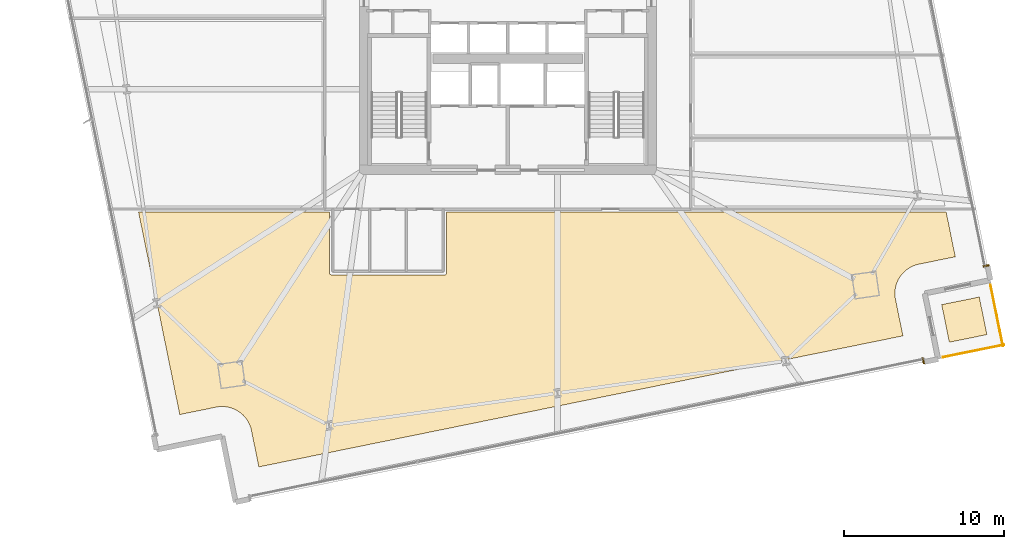
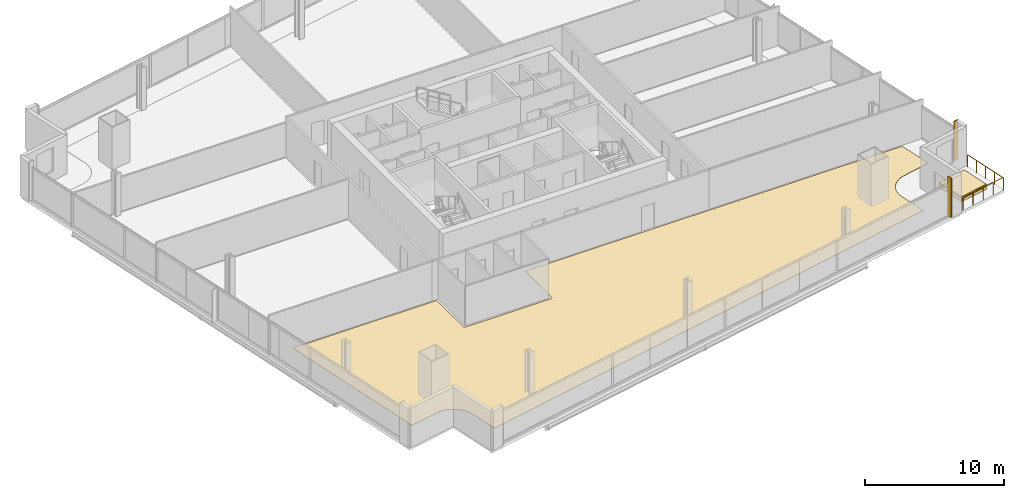
# One storey, part 30 of 33: 4 coverings, 2 railings.
"""IFC4 building model written with IfcOpenShell, lengths in metres."""

from ifc_helpers import new_model, si_unit, direction, frame, origin, origin_2d, place, context, subcontext, project, spatial, polyline, rectangle, outline, extrude, source, transform, mapped, material, layer, layer_set, type_object, element, save


model = new_model("IFC4")

# Units and contexts
model_context = context("Model", 3, precision=1e-05, world=origin(), true_north=direction((0.0, 1.0)))
body_context = subcontext(model_context, "Body", "Model", "MODEL_VIEW")
ifc_project = project(units=[si_unit("LENGTHUNIT", "METRE"), si_unit("AREAUNIT", "SQUARE_METRE"), si_unit("VOLUMEUNIT", "CUBIC_METRE"), si_unit("PLANEANGLEUNIT", "RADIAN"), si_unit("MASSUNIT", "GRAM", prefix="KILO")], contexts=[model_context])

# Site, building, storey
site_placement = place(None, origin())
site = spatial("IfcSite", under=ifc_project, at=site_placement, CompositionType="ELEMENT")
building_placement = place(site_placement, origin())
building = spatial("IfcBuilding", under=site, at=building_placement, Name="Haldenkirk Collegiate Tower", CompositionType="ELEMENT")
storey_placement = place(building_placement, frame((0.0, 0.0, 66.449951171875)))
storey = spatial("IfcBuildingStorey", under=building, at=storey_placement, Name="L15", CompositionType="ELEMENT", Elevation=66.449951171875)

# Coverings
ifc_material_1 = material(Name="Engineered collegiate oak acoustic flooring", Category="wood")
ifc_layer_1 = layer(ifc_material_1, 0.02197265625)
ifc_layer_set_1 = layer_set([ifc_layer_1], Name="Engineered collegiate oak acoustic flooring")
covering_type_1 = type_object("IfcCoveringType", Name="COV-FLOOR-TIMBER", PredefinedType="FLOORING", material=ifc_layer_set_1)
covering_1_placement = place(storey_placement, origin())
element("IfcCovering", 1, at=covering_1_placement, inside=storey, type_object=covering_type_1, Name="L15 academic room finish 01", PredefinedType="FLOORING", context=body_context, shape_type="SweptSolid", body=[
    extrude(outline(polyline([(19.666015625, 2.35400390625), (19.65966796875, 2.36376953125), (19.556640625, 2.501220703125), (19.549072265625, 2.51025390625), (19.43310546875, 2.636962890625), (19.4248046875, 2.645263671875), (19.297119140625, 2.760009765625), (19.2880859375, 2.767578125), (19.149658203125, 2.869140625), (19.139892578125, 2.875732421875), (18.9921875, 2.96337890625), (18.981689453125, 2.96875), (18.826416015625, 3.04150390625), (18.815185546875, 3.046142578125), (18.6533203125, 3.103271484375), (18.64208984375, 3.1064453125), (18.47509765625, 3.1474609375), (18.463623046875, 3.14990234375), (18.293701171875, 3.17431640625), (18.281982421875, 3.17529296875), (18.110595703125, 3.18310546875), (18.0986328125, 3.18310546875), (17.92724609375, 3.173828125), (17.91552734375, 3.172607421875), (17.74560546875, 3.146728515625), (17.739990234375, 3.145751953125), (15.456787109375, 2.68115234375), (12.879150390625, 15.35009765625), (24.830078125, 15.35009765625), (24.830078125, 11.550048828125), (24.83056640625, 11.5380859375), (24.832275390625, 11.526611328125), (24.835205078125, 11.51513671875), (24.839111328125, 11.504150390625), (24.84423828125, 11.493408203125), (24.85009765625, 11.4833984375), (24.857177734375, 11.473876953125), (24.864990234375, 11.465087890625), (24.873779296875, 11.457275390625), (24.88330078125, 11.4501953125), (24.893310546875, 11.444091796875), (24.904052734375, 11.439208984375), (24.915283203125, 11.435302734375), (24.926513671875, 11.432373046875), (24.938232421875, 11.4306640625), (24.949951171875, 11.429931640625), (32.050048828125, 11.429931640625), (32.061767578125, 11.4306640625), (32.073486328125, 11.432373046875), (32.084716796875, 11.435302734375), (32.095947265625, 11.439208984375), (32.106689453125, 11.444091796875), (32.11669921875, 11.4501953125), (32.126220703125, 11.457275390625), (32.135009765625, 11.465087890625), (32.142822265625, 11.473876953125), (32.14990234375, 11.4833984375), (32.15576171875, 11.493408203125), (32.160888671875, 11.504150390625), (32.164794921875, 11.51513671875), (32.167724609375, 11.526611328125), (32.16943359375, 11.5380859375), (32.169921875, 11.550048828125), (32.169921875, 15.35009765625), (63.45458984375, 15.35009765625), (64.021728515625, 12.56201171875), (61.738525390625, 12.097412109375), (61.732666015625, 12.09619140625), (61.56640625, 12.0537109375), (61.55517578125, 12.050048828125), (61.393798828125, 11.99169921875), (61.3828125, 11.987060546875), (61.227783203125, 11.9130859375), (61.21728515625, 11.9072265625), (61.070556640625, 11.818359375), (61.060791015625, 11.811767578125), (60.92333984375, 11.708984375), (60.914306640625, 11.701416015625), (60.78759765625, 11.58544921875), (60.779296875, 11.5771484375), (60.66455078125, 11.449462890625), (60.656982421875, 11.440185546875), (60.555419921875, 11.302001953125), (60.548828125, 11.2919921875), (60.461181640625, 11.144287109375), (60.455810546875, 11.134033203125), (60.3828125, 10.978515625), (60.37841796875, 10.967529296875), (60.3212890625, 10.805419921875), (60.318115234375, 10.794189453125), (60.277099609375, 10.62744140625), (60.274658203125, 10.615966796875), (60.250244140625, 10.44580078125), (60.2490234375, 10.43408203125), (60.241455078125, 10.2626953125), (60.241455078125, 10.2509765625), (60.250732421875, 10.079345703125), (60.251953125, 10.067626953125), (60.27783203125, 9.89794921875), (60.27880859375, 9.89208984375), (60.743408203125, 7.60888671875), (20.40966796875, -0.59716796875), (19.9453125, 1.68603515625), (19.94384765625, 1.69189453125), (19.9013671875, 1.858154296875), (19.89794921875, 1.869384765625), (19.83935546875, 2.03076171875), (19.8349609375, 2.041748046875), (19.7607421875, 2.19677734375), (19.755126953125, 2.20703125), (19.666015625, 2.35400390625)])), origin(), (0.0, 0.0, 1.0), 0.02197265625),
])
ifc_material_2 = material(Name="Precast concrete f'c 40 MPa", Category="concrete")
ifc_layer_2 = layer(ifc_material_2, 0.449951171875)
ifc_layer_set_2 = layer_set([ifc_layer_2], Name="Precast concrete f'c 40 MPa")
covering_type_2 = type_object("IfcCoveringType", Name="COV-PLANTER-450", PredefinedType="USERDEFINED", material=ifc_layer_set_2)
covering_2_placement = place(storey_placement, origin())
element("IfcCovering", 2, at=covering_2_placement, inside=storey, type_object=covering_type_2, Name="L15 planted garden planter bed", ObjectType="PLANTER", PredefinedType="USERDEFINED", context=body_context, shape_type="SweptSolid", body=[
    extrude(outline(polyline([(63.651123046875, 7.210693359375), (63.172607421875, 9.5625), (65.5244140625, 10.040771484375), (66.0029296875, 7.68896484375), (63.651123046875, 7.210693359375)])), origin(), (0.0, 0.0, 1.0), 0.449951171875),
])

# Railings
ifc_material_3 = material(Name="Anodised architectural bronze aluminium", Category="aluminium")
railing_type = type_object("IfcRailingType", Name="RLG-TERR-BALUSTRADE-1100", PredefinedType="BALUSTRADE", material=ifc_material_3)
railing_1_placement = place(storey_placement, frame((63.250244140625, 6.271728515625, 0.0)))
element("IfcRailing", 3, at=railing_1_placement, inside=storey, type_object=railing_type, Name="L15 terrace guard balustrade 1-1", PredefinedType="BALUSTRADE", context=body_context, shape_type="SweptSolid", body=[
    extrude(rectangle(XDim=0.048095703125, YDim=0.048095703125, at=origin_2d()), frame((0.0, 0.0, 1.076171875), z_axis=(0.979916868902, 0.19940644433, 0.0), x_axis=(-0.19940644433, 0.979916868902, 0.0)), (0.0, 0.0, 1.0), 3.8798828125),
    extrude(rectangle(XDim=0.0419921875, YDim=0.0419921875, at=origin_2d()), origin(), (0.0, 0.0, 1.0), 1.052001953125),
    extrude(rectangle(XDim=0.0419921875, YDim=0.0419921875, at=origin_2d()), frame((0.950439453125, 0.193359375, 0.0)), (0.0, 0.0, 1.0), 1.052001953125),
    extrude(rectangle(XDim=0.0419921875, YDim=0.0419921875, at=origin_2d()), frame((1.90087890625, 0.38671875, 0.0)), (0.0, 0.0, 1.0), 1.052001953125),
    extrude(rectangle(XDim=0.0419921875, YDim=0.0419921875, at=origin_2d()), frame((2.8515625, 0.580322265625, 0.0)), (0.0, 0.0, 1.0), 1.052001953125),
    extrude(rectangle(XDim=0.0419921875, YDim=0.0419921875, at=origin_2d()), frame((3.802001953125, 0.773681640625, 0.0)), (0.0, 0.0, 1.0), 1.052001953125),
])
railing_2_placement = place(storey_placement, frame((67.005615234375, 6.974609375, 0.0)))
element("IfcRailing", 4, at=railing_2_placement, inside=storey, type_object=railing_type, Name="L15 terrace guard balustrade 2-1", PredefinedType="BALUSTRADE", context=body_context, shape_type="SweptSolid", body=[
    extrude(rectangle(XDim=0.048095703125, YDim=0.048095703125, at=origin_2d()), frame((0.0, 0.0, 1.076171875), z_axis=(-0.19940644433, 0.979916868902, 0.0), x_axis=(-0.979916868902, -0.19940644433, 0.0)), (0.0, 0.0, 1.0), 3.8798828125),
    extrude(rectangle(XDim=0.0419921875, YDim=0.0419921875, at=origin_2d()), origin(), (0.0, 0.0, 1.0), 1.052001953125),
    extrude(rectangle(XDim=0.0419921875, YDim=0.0419921875, at=origin_2d()), frame((-0.193359375, 0.950439453125, 0.0)), (0.0, 0.0, 1.0), 1.052001953125),
    extrude(rectangle(XDim=0.0419921875, YDim=0.0419921875, at=origin_2d()), frame((-0.38671875, 1.90087890625, 0.0)), (0.0, 0.0, 1.0), 1.052001953125),
    extrude(rectangle(XDim=0.0419921875, YDim=0.0419921875, at=origin_2d()), frame((-0.580322265625, 2.8515625, 0.0)), (0.0, 0.0, 1.0), 1.052001953125),
    extrude(rectangle(XDim=0.0419921875, YDim=0.0419921875, at=origin_2d()), frame((-0.773681640625, 3.802001953125, 0.0)), (0.0, 0.0, 1.0), 1.052001953125),
])

# Coverings
ifc_layer_3 = layer(ifc_material_3, 0.06005859375)
ifc_layer_set_3 = layer_set([ifc_layer_3], Name="Anodised architectural bronze aluminium")
covering_type_3 = type_object("IfcCoveringType", Name="COV-CLAD-BRONZE-60", PredefinedType="CLADDING", material=ifc_layer_set_3)
shared_shape = source(origin(), body_context, "Body", "SweptSolid", [
    extrude(rectangle(XDim=0.10009765625, YDim=0.3798828125, at=origin_2d()), origin(), (0.0, 0.0, 1.0), 3.43994140625),
])
for number, where, z_axis, x_axis, name in (
    (5, (62.019287109375, 6.052001953125, 0.0), (0.0, 0.0, 1.0), (-0.979924704621, -0.199367934417, 0.0), "L15 recessed curtain-wall bronze jamb closure SJL"),
    (6, (65.953369140625, 11.99560546875, 0.0), (0.0, 0.0, 1.0), (0.199367934417, -0.979924704621, 0.0), "L15 recessed curtain-wall bronze jamb closure EJR"),
):
    element("IfcCovering", number, at=place(storey_placement, frame(where, z_axis=z_axis, x_axis=x_axis)), inside=storey, type_object=covering_type_3, Name=name, PredefinedType="CLADDING", context=body_context, shape_type="MappedRepresentation", body=[
        mapped(shared_shape, transform((0.0, 0.0, 0.0), x_axis=(1.0, 0.0, 0.0), y_axis=(0.0, 1.0, 0.0), z_axis=(0.0, 0.0, 1.0), scale=1.0)),
    ])

save(model, "model.ifc")
